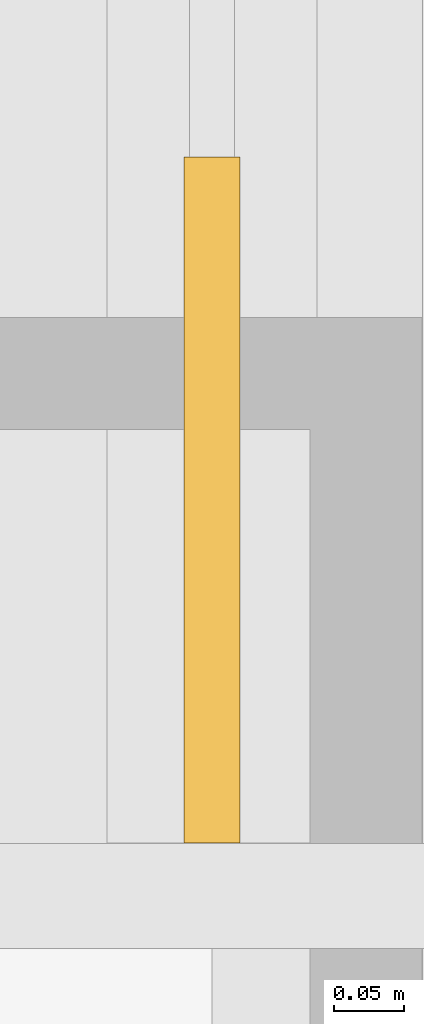
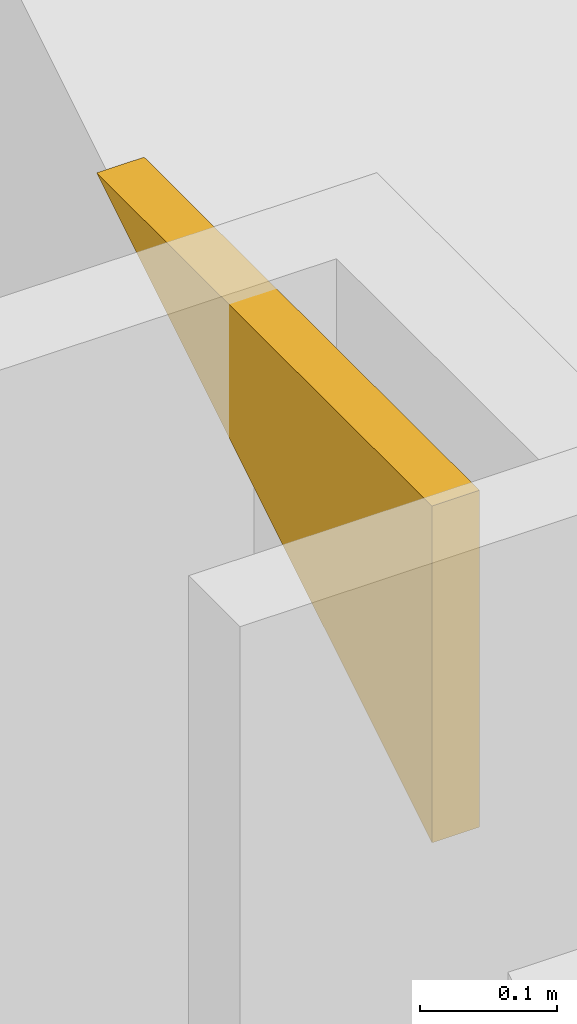
# One storey, part 19 of 21: 1 covering.
"""IFC4 building model written with IfcOpenShell, lengths in metres."""

from ifc_helpers import new_model, si_unit, direction, frame, origin, place, context, subcontext, project, spatial, polyline, outline, extrude, material, layer, layer_set, type_object, element, save


model = new_model("IFC4")

# Units and contexts
model_context = context("Model", 3, precision=1e-05, world=origin(), true_north=direction((0.0, 1.0)))
body_context = subcontext(model_context, "Body", "Model", "MODEL_VIEW")
ifc_project = project(units=[si_unit("LENGTHUNIT", "METRE"), si_unit("AREAUNIT", "SQUARE_METRE"), si_unit("VOLUMEUNIT", "CUBIC_METRE"), si_unit("PLANEANGLEUNIT", "RADIAN"), si_unit("MASSUNIT", "GRAM", prefix="KILO")], contexts=[model_context])

# Site, building, storey
site_placement = place(None, origin())
site = spatial("IfcSite", under=ifc_project, at=site_placement, CompositionType="ELEMENT")
building_placement = place(site_placement, origin())
building = spatial("IfcBuilding", under=site, at=building_placement, Name="Malebo Sky Hospital", CompositionType="ELEMENT")
storey_placement = place(building_placement, frame((0.0, 0.0, 31.0)))
storey = spatial("IfcBuildingStorey", under=building, at=storey_placement, Name="L06", CompositionType="ELEMENT", Elevation=31.0)

# Covering
ifc_material = material(Name="Anodised aluminium, natural silver insulated infill panel", Category="aluminium")
ifc_layer = layer(ifc_material, 0.0400390625)
ifc_layer_set = layer_set([ifc_layer], Name="BRACE INFILL PANEL 40")
covering_type = type_object("IfcCoveringType", Name="BRACE INFILL PANEL 40", PredefinedType="CLADDING", material=ifc_layer_set)
covering_placement = place(storey_placement, frame((85.5, 41.61962890625, 3.690185546875), z_axis=(0.0, 0.0, 1.0), x_axis=(0.0, -1.0, 0.0)))
element("IfcCovering", 1, at=covering_placement, inside=storey, type_object=covering_type, Name="Brace infill panel 15.1", PredefinedType="CLADDING", context=body_context, shape_type="SweptSolid", body=[
    extrude(outline(polyline([(0.244384765625, 0.0), (0.244384765625, 0.2998046875), (-0.24462890625, 0.2998046875), (0.244384765625, 0.0)])), frame((0.0, 0.02001953125, 0.0), z_axis=(0.0, -1.0, 0.0), x_axis=(1.0, 0.0, 0.0)), (0.0, 0.0, 1.0), 0.0400390625),
])

save(model, "model.ifc")
